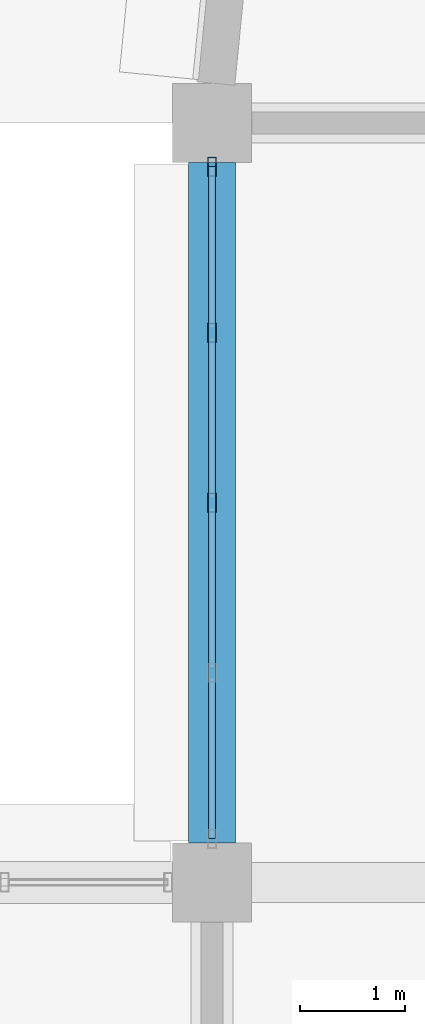
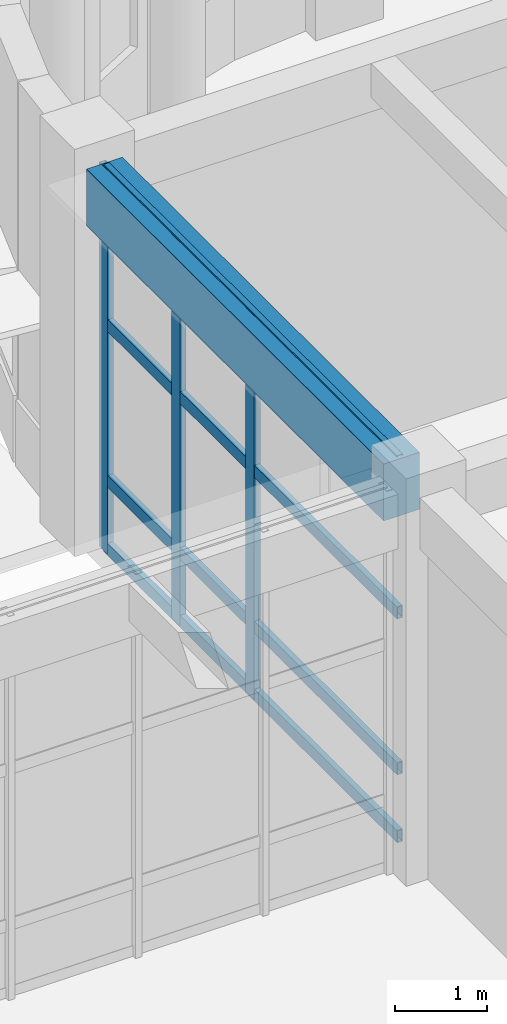
# One storey, part 19 of 160: 7 members, 1 beam, 1 element without a shape of its own.
"""IFC4 building model written with IfcOpenShell, lengths in metres."""

from ifc_helpers import new_model, si_unit, direction, frame, origin, origin_2d, place, context, subcontext, project, spatial, rectangle, hollow_rectangle, extrude, material, material_profile, profile_set, type_object, element, aggregate, save


model = new_model("IFC4")

# Units and contexts
model_context = context("Model", 3, precision=1e-05, world=origin(), true_north=direction((0.0, 1.0)))
body_context = subcontext(model_context, "Body", "Model", "MODEL_VIEW")
ifc_project = project(units=[si_unit("LENGTHUNIT", "METRE"), si_unit("AREAUNIT", "SQUARE_METRE"), si_unit("VOLUMEUNIT", "CUBIC_METRE"), si_unit("PLANEANGLEUNIT", "RADIAN"), si_unit("MASSUNIT", "GRAM", prefix="KILO")], contexts=[model_context])

# Site, building, storey
site_placement = place(None, origin())
site = spatial("IfcSite", under=ifc_project, at=site_placement, CompositionType="ELEMENT")
building_placement = place(site_placement, origin())
building = spatial("IfcBuilding", under=site, at=building_placement, Name="Thalmaran Polytechnic", CompositionType="ELEMENT")
storey_placement = place(building_placement, origin())
storey = spatial("IfcBuildingStorey", under=building, at=storey_placement, Name="L00", CompositionType="ELEMENT", Elevation=0.0)

# Beam
ifc_material_1 = material(Name="Concrete C40/50", Category="concrete")
ifc_material_profile_1 = material_profile(ifc_material_1, rectangle(XDim=0.449951171875, YDim=0.7548828125, at=origin_2d()), Name="RC 450x755")
ifc_profile_set_1 = profile_set([ifc_material_profile_1], Name="Concrete C40/50")
beam_type = type_object("IfcBeamType", Name="BM-SP02", PredefinedType="SPANDREL", material=ifc_profile_set_1)
beam_placement = place(storey_placement, frame((57.60009765625, 21.97509765625, 4.71240234375), z_axis=(0.0, 1.0, 0.0), x_axis=(-1.0, 0.0, 0.0)))
element("IfcBeam", 1, at=beam_placement, inside=storey, type_object=beam_type, Name="Grid Beam SP02 L00 Y(8,3)", PredefinedType="SPANDREL", context=body_context, shape_type="SweptSolid", body=[
    extrude(rectangle(XDim=0.449951171875, YDim=0.7548828125, at=origin_2d()), origin(), (0.0, 0.0, 1.0), 6.449951171875),
])

# Curtain wall, members
ifc_material_2 = material(Name="Aluminium 6063-T6", Category="aluminium")
curtain_wall_type = type_object("IfcCurtainWallType", Name="CW-UC01", PredefinedType="USERDEFINED", material=ifc_material_2)
curtain_wall_placement = place(storey_placement, origin())
curtain_wall = element("IfcCurtainWall", 2, at=curtain_wall_placement, inside=storey, type_object=curtain_wall_type, Name="Curtain Wall CW-L00-054", ObjectType="UNITISED CURTAIN WALL", PredefinedType="USERDEFINED")
ifc_material_profile_2 = material_profile(ifc_material_2, hollow_rectangle(XDim=0.080078125, YDim=0.179931640625, WallThickness=0.0048828125, at=origin_2d()), Name="RHS 180x80x5.0")
ifc_profile_set_2 = profile_set([ifc_material_profile_2], Name="Aluminium 6063-T6")
member_type_1 = type_object("IfcMemberType", Name="CW-MUL1", PredefinedType="MULLION", material=ifc_profile_set_2)
member_1_placement = place(storey_placement, frame((57.60009765625, 25.199951171875, 0.0), z_axis=(0.0, 0.0, 1.0), x_axis=(1.0, 0.0, 0.0)))
member_1 = element("IfcMember", 3, at=member_1_placement, type_object=member_type_1, Name="CW-L00-054 Mullion 3", PredefinedType="MULLION", context=body_context, shape_type="SweptSolid", body=[
    extrude(hollow_rectangle(XDim=0.080078125, YDim=0.179931640625, WallThickness=0.0048828125, at=origin_2d()), origin(), (0.0, 0.0, 1.0), 5.090087890625),
])
member_2_placement = place(storey_placement, frame((57.60009765625, 26.8125, 0.0), z_axis=(0.0, 0.0, 1.0), x_axis=(1.0, 0.0, 0.0)))
member_2 = element("IfcMember", 4, at=member_2_placement, type_object=member_type_1, Name="CW-L00-054 Mullion 4", PredefinedType="MULLION", context=body_context, shape_type="SweptSolid", body=[
    extrude(hollow_rectangle(XDim=0.080078125, YDim=0.179931640625, WallThickness=0.0048828125, at=origin_2d()), origin(), (0.0, 0.0, 1.0), 5.090087890625),
])
member_3_placement = place(storey_placement, frame((57.60009765625, 28.385009765625, 0.0), z_axis=(0.0, 0.0, 1.0), x_axis=(1.0, 0.0, 0.0)))
member_3 = element("IfcMember", 5, at=member_3_placement, type_object=member_type_1, Name="CW-L00-054 Mullion 5", PredefinedType="MULLION", context=body_context, shape_type="SweptSolid", body=[
    extrude(hollow_rectangle(XDim=0.080078125, YDim=0.179931640625, WallThickness=0.0048828125, at=origin_2d()), origin(), (0.0, 0.0, 1.0), 5.090087890625),
])
ifc_material_profile_3 = material_profile(ifc_material_2, hollow_rectangle(XDim=0.070068359375, YDim=0.159912109375, WallThickness=0.00390625, at=origin_2d()), Name="AL 160x70x4.0")
ifc_profile_set_3 = profile_set([ifc_material_profile_3], Name="Aluminium 6063-T6")
member_type_2 = type_object("IfcMemberType", Name="CW-TRN1", PredefinedType="USERDEFINED", material=ifc_profile_set_3)
member_4_placement = place(storey_placement, frame((57.60009765625, 22.014892578125, 0.06005859375), z_axis=(0.0, 1.0, 0.0), x_axis=(-1.0, 0.0, 0.0)))
member_4 = element("IfcMember", 6, at=member_4_placement, type_object=member_type_2, Name="CW-L00-054 Transom 1", ObjectType="TRANSOM", PredefinedType="USERDEFINED", context=body_context, shape_type="SweptSolid", body=[
    extrude(hollow_rectangle(XDim=0.070068359375, YDim=0.159912109375, WallThickness=0.00390625, at=origin_2d()), origin(), (0.0, 0.0, 1.0), 6.3701171875),
])
member_5_placement = place(storey_placement, frame((57.60009765625, 22.014892578125, 0.9599609375), z_axis=(0.0, 1.0, 0.0), x_axis=(-1.0, 0.0, 0.0)))
member_5 = element("IfcMember", 7, at=member_5_placement, type_object=member_type_2, Name="CW-L00-054 Transom 2", ObjectType="TRANSOM", PredefinedType="USERDEFINED", context=body_context, shape_type="SweptSolid", body=[
    extrude(hollow_rectangle(XDim=0.070068359375, YDim=0.159912109375, WallThickness=0.00390625, at=origin_2d()), origin(), (0.0, 0.0, 1.0), 6.3701171875),
])
member_6_placement = place(storey_placement, frame((57.60009765625, 22.014892578125, 3.02490234375), z_axis=(0.0, 1.0, 0.0), x_axis=(-1.0, 0.0, 0.0)))
member_6 = element("IfcMember", 8, at=member_6_placement, type_object=member_type_2, Name="CW-L00-054 Transom 3", ObjectType="TRANSOM", PredefinedType="USERDEFINED", context=body_context, shape_type="SweptSolid", body=[
    extrude(hollow_rectangle(XDim=0.070068359375, YDim=0.159912109375, WallThickness=0.00390625, at=origin_2d()), origin(), (0.0, 0.0, 1.0), 6.3701171875),
])
member_7_placement = place(storey_placement, frame((57.60009765625, 22.014892578125, 5.030029296875), z_axis=(0.0, 1.0, 0.0), x_axis=(-1.0, 0.0, 0.0)))
member_7 = element("IfcMember", 9, at=member_7_placement, type_object=member_type_2, Name="CW-L00-054 Transom 4", ObjectType="TRANSOM", PredefinedType="USERDEFINED", context=body_context, shape_type="SweptSolid", body=[
    extrude(hollow_rectangle(XDim=0.070068359375, YDim=0.159912109375, WallThickness=0.00390625, at=origin_2d()), origin(), (0.0, 0.0, 1.0), 6.3701171875),
])
aggregate(curtain_wall, [member_1, member_2, member_3, member_4, member_5, member_6, member_7])

save(model, "model.ifc")
